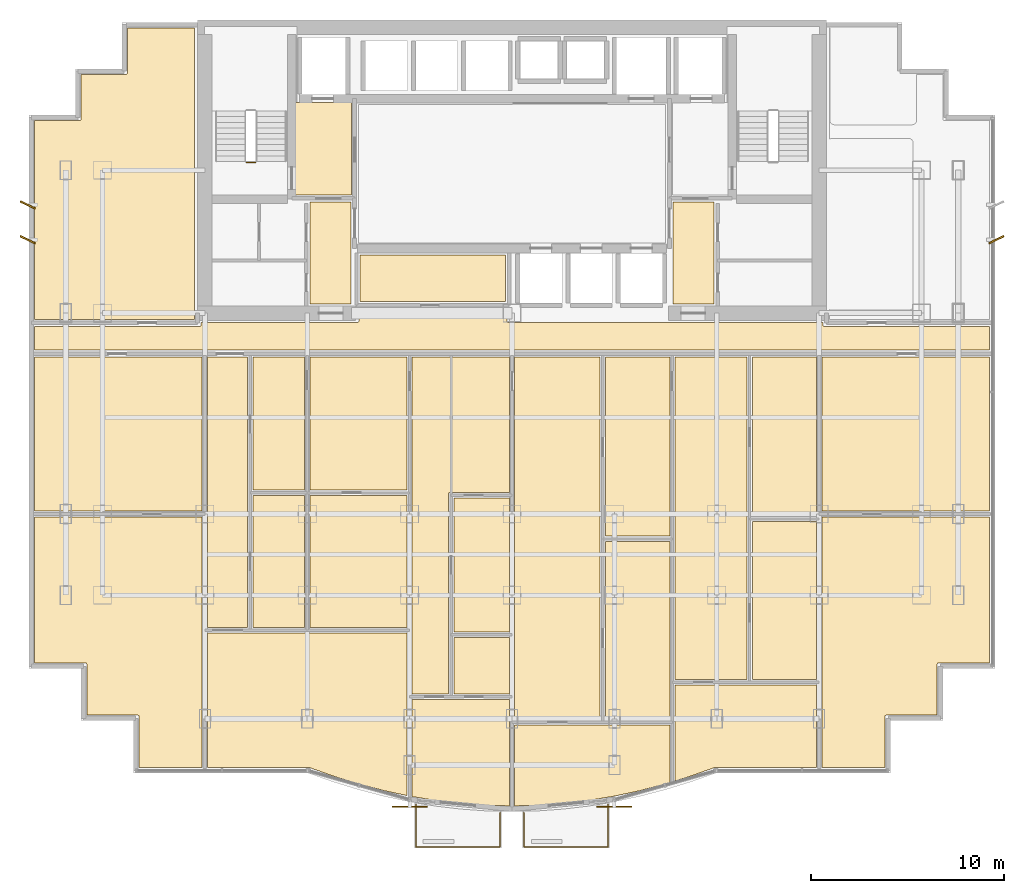
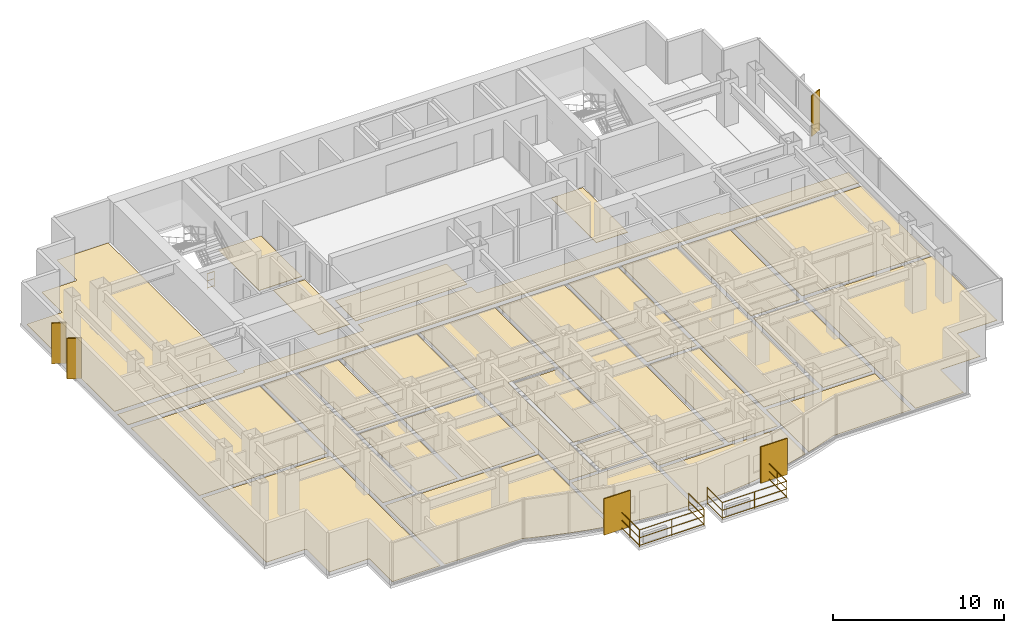
# One storey, part 10 of 11: 28 coverings, 5 shading devices, 3 railings.
"""IFC4 building model written with IfcOpenShell, lengths in metres."""

from ifc_helpers import new_model, si_unit, direction, frame, origin, origin_2d, place, context, subcontext, project, spatial, polyline, rectangle, circle, outline, extrude, source, transform, mapped, material, layer, layer_set, type_object, element, save


model = new_model("IFC4")

# Units and contexts
model_context = context("Model", 3, precision=1e-05, world=origin(), true_north=direction((0.0, 1.0)))
body_context = subcontext(model_context, "Body", "Model", "MODEL_VIEW")
ifc_project = project(units=[si_unit("LENGTHUNIT", "METRE"), si_unit("AREAUNIT", "SQUARE_METRE"), si_unit("VOLUMEUNIT", "CUBIC_METRE"), si_unit("PLANEANGLEUNIT", "RADIAN"), si_unit("MASSUNIT", "GRAM", prefix="KILO")], contexts=[model_context])

# Site, building, storey
site_placement = place(None, origin())
site = spatial("IfcSite", under=ifc_project, at=site_placement, CompositionType="ELEMENT")
building_placement = place(site_placement, origin())
building = spatial("IfcBuilding", under=site, at=building_placement, Name="Qianlan Lanfeng Residences", CompositionType="ELEMENT")
storey_placement = place(building_placement, frame((0.0, 0.0, 124.60009765625)))
storey = spatial("IfcBuildingStorey", under=building, at=storey_placement, Name="L34", CompositionType="ELEMENT", Elevation=124.60009765625)

# Coverings
ifc_material_1 = material(Name="Honed Taitung Granite Stone Flooring", Category="masonry")
ifc_layer_1 = layer(ifc_material_1, 0.030029296875)
ifc_layer_set_1 = layer_set([ifc_layer_1], Name="Honed Taitung Granite Stone Flooring")
covering_type_1 = type_object("IfcCoveringType", Name="FLR-STN-30", PredefinedType="FLOORING", material=ifc_layer_set_1)
covering_1_placement = place(storey_placement, origin())
element("IfcCovering", 1, at=covering_1_placement, inside=storey, type_object=covering_type_1, Name="L34 Firefighting Lift Lobby Floor Finish", PredefinedType="FLOORING", context=body_context, shape_type="SweptSolid", body=[
    extrude(outline(polyline([(15.2900390625, 31.320068359375), (18.179931640625, 31.320068359375), (18.179931640625, 36.110107421875), (15.2900390625, 36.110107421875), (15.2900390625, 31.320068359375)])), origin(), (0.0, 0.0, 1.0), 0.02978515625),
])
covering_2_placement = place(storey_placement, origin())
element("IfcCovering", 2, at=covering_2_placement, inside=storey, type_object=covering_type_1, Name="L34 Residential Corridor Floor Finish", PredefinedType="FLOORING", context=body_context, shape_type="SweptSolid", body=[
    extrude(outline(polyline([(1.7900390625, 23.280029296875), (51.2099609375, 23.280029296875), (51.2099609375, 24.52001953125), (42.6650390625, 24.52001953125), (42.657958984375, 24.52001953125), (42.65087890625, 24.52099609375), (42.64501953125, 24.52294921875), (42.637939453125, 24.52490234375), (42.632080078125, 24.528076171875), (42.6259765625, 24.531982421875), (42.62109375, 24.535888671875), (42.615966796875, 24.541015625), (42.611083984375, 24.5458984375), (42.60693359375, 24.551025390625), (42.60302734375, 24.556884765625), (42.60009765625, 24.56298828125), (42.597900390625, 24.570068359375), (42.595947265625, 24.575927734375), (42.594970703125, 24.5830078125), (42.594970703125, 24.590087890625), (42.594970703125, 24.72509765625), (26.300048828125, 24.72509765625), (26.29296875, 24.72509765625), (26.285888671875, 24.72607421875), (26.280029296875, 24.72802734375), (26.27294921875, 24.72998046875), (26.26708984375, 24.73291015625), (26.260986328125, 24.737060546875), (26.256103515625, 24.740966796875), (26.2509765625, 24.74609375), (26.24609375, 24.7509765625), (26.241943359375, 24.756103515625), (26.238037109375, 24.761962890625), (26.235107421875, 24.76806640625), (26.23291015625, 24.77490234375), (26.23095703125, 24.781005859375), (26.22998046875, 24.7880859375), (26.22998046875, 24.794921875), (26.22998046875, 25.429931640625), (18.570068359375, 25.429931640625), (18.570068359375, 24.794921875), (18.570068359375, 24.7880859375), (18.569091796875, 24.781005859375), (18.56689453125, 24.77490234375), (18.56494140625, 24.76806640625), (18.56201171875, 24.761962890625), (18.55810546875, 24.756103515625), (18.553955078125, 24.7509765625), (18.549072265625, 24.74609375), (18.5439453125, 24.740966796875), (18.5390625, 24.737060546875), (18.532958984375, 24.73291015625), (18.527099609375, 24.72998046875), (18.52001953125, 24.72802734375), (18.513916015625, 24.72607421875), (18.507080078125, 24.72509765625), (18.5, 24.72509765625), (10.405029296875, 24.72509765625), (10.405029296875, 24.590087890625), (10.405029296875, 24.5830078125), (10.404052734375, 24.575927734375), (10.402099609375, 24.570068359375), (10.39990234375, 24.56298828125), (10.39697265625, 24.556884765625), (10.39306640625, 24.551025390625), (10.388916015625, 24.5458984375), (10.384033203125, 24.541015625), (10.37890625, 24.535888671875), (10.3740234375, 24.531982421875), (10.367919921875, 24.528076171875), (10.362060546875, 24.52490234375), (10.35498046875, 24.52294921875), (10.34912109375, 24.52099609375), (10.342041015625, 24.52001953125), (10.3349609375, 24.52001953125), (1.7900390625, 24.52001953125), (1.7900390625, 23.280029296875)])), origin(), (0.0, 0.0, 1.0), 0.02978515625),
])
covering_3_placement = place(storey_placement, origin())
element("IfcCovering", 3, at=covering_3_placement, inside=storey, type_object=covering_type_1, Name="L34 Lift Lobby Floor Finish", PredefinedType="FLOORING", context=body_context, shape_type="SweptSolid", body=[
    extrude(outline(polyline([(16.030029296875, 25.68505859375), (18.169921875, 25.68505859375), (18.169921875, 30.949951171875), (16.030029296875, 30.949951171875), (16.030029296875, 25.68505859375)])), origin(), (0.0, 0.0, 1.0), 0.02978515625),
])
covering_4_placement = place(storey_placement, origin())
element("IfcCovering", 4, at=covering_4_placement, inside=storey, type_object=covering_type_1, Name="L34 Lift Lobby Floor Finish", PredefinedType="FLOORING", context=body_context, shape_type="SweptSolid", body=[
    extrude(outline(polyline([(34.830078125, 25.68505859375), (36.969970703125, 25.68505859375), (36.969970703125, 30.949951171875), (34.830078125, 30.949951171875), (34.830078125, 25.68505859375)])), origin(), (0.0, 0.0, 1.0), 0.02978515625),
])
ifc_material_2 = material(Name="Slip-Resistant Porcelain Tile Flooring")
ifc_layer_2 = layer(ifc_material_2, 0.02001953125)
ifc_layer_set_2 = layer_set([ifc_layer_2], Name="Slip-Resistant Porcelain Tile Flooring")
covering_type_2 = type_object("IfcCoveringType", Name="FLR-TIL-20", PredefinedType="FLOORING", material=ifc_layer_set_2)
covering_5_placement = place(storey_placement, origin())
element("IfcCovering", 5, at=covering_5_placement, inside=storey, type_object=covering_type_2, Name="L34 Kitchen Floor Finish", PredefinedType="FLOORING", context=body_context, shape_type="SweptSolid", body=[
    extrude(outline(polyline([(13.090087890625, 8.929931640625), (15.760009765625, 8.929931640625), (15.760009765625, 15.7548828125), (13.090087890625, 15.7548828125), (13.090087890625, 8.929931640625)])), origin(), (0.0, 0.0, 1.0), 0.02001953125),
])
covering_6_placement = place(storey_placement, origin())
element("IfcCovering", 6, at=covering_6_placement, inside=storey, type_object=covering_type_2, Name="L34 Bathroom Floor Finish", PredefinedType="FLOORING", context=body_context, shape_type="SweptSolid", body=[
    extrude(outline(polyline([(13.090087890625, 16.034912109375), (15.760009765625, 16.034912109375), (15.760009765625, 22.929931640625), (13.090087890625, 22.929931640625), (13.090087890625, 16.034912109375)])), origin(), (0.0, 0.0, 1.0), 0.02001953125),
])
covering_7_placement = place(storey_placement, origin())
element("IfcCovering", 7, at=covering_7_placement, inside=storey, type_object=covering_type_2, Name="L34 En-Suite Bathroom Floor Finish", PredefinedType="FLOORING", context=body_context, shape_type="SweptSolid", body=[
    extrude(outline(polyline([(23.489990234375, 5.487060546875), (26.3701171875, 5.487060546875), (26.3701171875, 8.406982421875), (23.489990234375, 8.406982421875), (23.489990234375, 5.487060546875)])), origin(), (0.0, 0.0, 1.0), 0.02001953125),
])
ifc_material_3 = material(Name="Engineered Smoked Oak Timber Flooring", Category="wood")
ifc_layer_3 = layer(ifc_material_3, 0.02197265625)
ifc_layer_set_3 = layer_set([ifc_layer_3], Name="Engineered Smoked Oak Timber Flooring")
covering_type_3 = type_object("IfcCoveringType", Name="FLR-TIM-22", PredefinedType="FLOORING", material=ifc_layer_set_3)
covering_8_placement = place(storey_placement, origin())
element("IfcCovering", 8, at=covering_8_placement, inside=storey, type_object=covering_type_3, Name="L34 Gallery Salon Floor Finish", PredefinedType="FLOORING", context=body_context, shape_type="SweptSolid", body=[
    extrude(outline(polyline([(18.6298828125, 25.800048828125), (26.169921875, 25.800048828125), (26.169921875, 28.205078125), (18.6298828125, 28.205078125), (18.6298828125, 25.800048828125)])), origin(), (0.0, 0.0, 1.0), 0.02197265625),
])
covering_9_placement = place(storey_placement, origin())
element("IfcCovering", 9, at=covering_9_placement, inside=storey, type_object=covering_type_3, Name="L34 Living and Dining Room Floor Finish", PredefinedType="FLOORING", context=body_context, shape_type="SweptSolid", body=[
    extrude(outline(polyline([(10.72998046875, 8.64990234375), (10.72998046875, 1.68994140625), (15.9580078125, 1.68994140625), (15.966064453125, 1.68994140625), (15.97412109375, 1.68798828125), (15.98095703125, 1.68603515625), (17.3330078125, 1.2060546875), (18.64404296875, 0.803955078125), (19.9541015625, 0.462890625), (21.070068359375, 0.22607421875), (21.070068359375, 8.64990234375), (10.72998046875, 8.64990234375)])), origin(), (0.0, 0.0, 1.0), 0.02197265625),
])
covering_10_placement = place(storey_placement, origin())
element("IfcCovering", 10, at=covering_10_placement, inside=storey, type_object=covering_type_3, Name="L34 Family Sitting Room Floor Finish", PredefinedType="FLOORING", context=body_context, shape_type="SweptSolid", body=[
    extrude(outline(polyline([(10.72998046875, 8.929931640625), (12.81005859375, 8.929931640625), (12.81005859375, 22.929931640625), (10.72998046875, 22.929931640625), (10.72998046875, 8.929931640625)])), origin(), (0.0, 0.0, 1.0), 0.02197265625),
])
covering_11_placement = place(storey_placement, origin())
element("IfcCovering", 11, at=covering_11_placement, inside=storey, type_object=covering_type_3, Name="L34 Fitness Gymnasium Floor Finish", PredefinedType="FLOORING", context=body_context, shape_type="SweptSolid", body=[
    extrude(outline(polyline([(16.0400390625, 8.929931640625), (21.06005859375, 8.929931640625), (21.06005859375, 15.7548828125), (16.0400390625, 15.7548828125), (16.0400390625, 8.929931640625)])), origin(), (0.0, 0.0, 1.0), 0.02197265625),
])
covering_12_placement = place(storey_placement, origin())
element("IfcCovering", 12, at=covering_12_placement, inside=storey, type_object=covering_type_3, Name="L34 Club Reading Salon Floor Finish", PredefinedType="FLOORING", context=body_context, shape_type="SweptSolid", body=[
    extrude(outline(polyline([(16.0400390625, 16.034912109375), (21.06005859375, 16.034912109375), (21.06005859375, 22.929931640625), (16.0400390625, 22.929931640625), (16.0400390625, 16.034912109375)])), origin(), (0.0, 0.0, 1.0), 0.02197265625),
])
covering_13_placement = place(storey_placement, origin())
element("IfcCovering", 13, at=covering_13_placement, inside=storey, type_object=covering_type_3, Name="L34 Private Study Floor Finish", PredefinedType="FLOORING", context=body_context, shape_type="SweptSolid", body=[
    extrude(outline(polyline([(23.489990234375, 8.68701171875), (26.3701171875, 8.68701171875), (26.3701171875, 15.634033203125), (23.489990234375, 15.634033203125), (23.489990234375, 8.68701171875)])), origin(), (0.0, 0.0, 1.0), 0.02197265625),
])
covering_14_placement = place(storey_placement, origin())
element("IfcCovering", 14, at=covering_14_placement, inside=storey, type_object=covering_type_3, Name="L34 Villa Family Sitting Room Floor Finish", PredefinedType="FLOORING", context=body_context, shape_type="SweptSolid", body=[
    extrude(outline(polyline([(21.330078125, 5.487060546875), (23.2099609375, 5.487060546875), (23.2099609375, 15.843994140625), (23.2099609375, 15.85107421875), (23.2109375, 15.85791015625), (23.212890625, 15.864013671875), (23.215087890625, 15.87109375), (23.218017578125, 15.876953125), (23.221923828125, 15.883056640625), (23.22607421875, 15.887939453125), (23.23095703125, 15.89306640625), (23.236083984375, 15.89794921875), (23.240966796875, 15.902099609375), (23.2470703125, 15.906005859375), (23.2529296875, 15.908935546875), (23.260009765625, 15.910888671875), (23.26611328125, 15.9130859375), (23.27294921875, 15.9140625), (23.280029296875, 15.9140625), (26.3701171875, 15.9140625), (26.3701171875, 22.929931640625), (21.330078125, 22.929931640625), (21.330078125, 5.487060546875)])), origin(), (0.0, 0.0, 1.0), 0.02197265625),
])
covering_15_placement = place(storey_placement, origin())
element("IfcCovering", 15, at=covering_15_placement, inside=storey, type_object=covering_type_3, Name="L34 Master Bedroom Floor Finish", PredefinedType="FLOORING", context=body_context, shape_type="SweptSolid", body=[
    extrude(outline(polyline([(21.330078125, 5.20703125), (21.330078125, 0.174072265625), (22.572998046875, -0.031982421875), (23.882080078125, -0.18603515625), (25.19091796875, -0.279052734375), (26.3701171875, -0.306884765625), (26.3701171875, 5.20703125), (21.330078125, 5.20703125)])), origin(), (0.0, 0.0, 1.0), 0.02197265625),
])
covering_16_placement = place(storey_placement, origin())
element("IfcCovering", 16, at=covering_16_placement, inside=storey, type_object=covering_type_3, Name="L34 Guest Bedroom Floor Finish", PredefinedType="FLOORING", context=body_context, shape_type="SweptSolid", body=[
    extrude(outline(polyline([(26.6298828125, 3.889892578125), (26.6298828125, -0.306884765625), (27.80810546875, -0.279052734375), (29.117919921875, -0.18603515625), (30.426025390625, -0.031982421875), (31.736083984375, 0.18505859375), (33.044921875, 0.462890625), (34.35595703125, 0.803955078125), (34.669921875, 0.89990234375), (34.669921875, 3.889892578125), (26.6298828125, 3.889892578125)])), origin(), (0.0, 0.0, 1.0), 0.02197265625),
])
covering_17_placement = place(storey_placement, origin())
element("IfcCovering", 17, at=covering_17_placement, inside=storey, type_object=covering_type_3, Name="L34 Private Study Floor Finish", PredefinedType="FLOORING", context=body_context, shape_type="SweptSolid", body=[
    extrude(outline(polyline([(31.340087890625, 4.169921875), (34.669921875, 4.169921875), (34.669921875, 13.375), (31.340087890625, 13.375), (31.340087890625, 4.169921875)])), origin(), (0.0, 0.0, 1.0), 0.02197265625),
])
covering_18_placement = place(storey_placement, origin())
element("IfcCovering", 18, at=covering_18_placement, inside=storey, type_object=covering_type_3, Name="L34 Family Sitting Room Floor Finish", PredefinedType="FLOORING", context=body_context, shape_type="SweptSolid", body=[
    extrude(outline(polyline([(31.340087890625, 13.655029296875), (34.669921875, 13.655029296875), (34.669921875, 22.929931640625), (31.340087890625, 22.929931640625), (31.340087890625, 13.655029296875)])), origin(), (0.0, 0.0, 1.0), 0.02197265625),
])
covering_19_placement = place(storey_placement, origin())
element("IfcCovering", 19, at=covering_19_placement, inside=storey, type_object=covering_type_3, Name="L34 Home Office Floor Finish", PredefinedType="FLOORING", context=body_context, shape_type="SweptSolid", body=[
    extrude(outline(polyline([(26.6298828125, 4.169921875), (31.06005859375, 4.169921875), (31.06005859375, 22.929931640625), (26.6298828125, 22.929931640625), (26.6298828125, 4.169921875)])), origin(), (0.0, 0.0, 1.0), 0.02197265625),
])
covering_20_placement = place(storey_placement, origin())
element("IfcCovering", 20, at=covering_20_placement, inside=storey, type_object=covering_type_3, Name="L34 Guest Bedroom Floor Finish", PredefinedType="FLOORING", context=body_context, shape_type="SweptSolid", body=[
    extrude(outline(polyline([(34.929931640625, 5.9541015625), (34.929931640625, 0.97998046875), (35.6669921875, 1.2060546875), (37.01904296875, 1.68603515625), (37.02587890625, 1.68798828125), (37.033935546875, 1.68994140625), (37.0419921875, 1.68994140625), (42.27001953125, 1.68994140625), (42.27001953125, 5.9541015625), (34.929931640625, 5.9541015625)])), origin(), (0.0, 0.0, 1.0), 0.02197265625),
])
covering_21_placement = place(storey_placement, origin())
element("IfcCovering", 21, at=covering_21_placement, inside=storey, type_object=covering_type_3, Name="L34 Private Study Floor Finish", PredefinedType="FLOORING", context=body_context, shape_type="SweptSolid", body=[
    extrude(outline(polyline([(38.93994140625, 6.23388671875), (42.27001953125, 6.23388671875), (42.27001953125, 14.406982421875), (38.93994140625, 14.406982421875), (38.93994140625, 6.23388671875)])), origin(), (0.0, 0.0, 1.0), 0.02197265625),
])
covering_22_placement = place(storey_placement, origin())
element("IfcCovering", 22, at=covering_22_placement, inside=storey, type_object=covering_type_3, Name="L34 Fitness Gymnasium Floor Finish", PredefinedType="FLOORING", context=body_context, shape_type="SweptSolid", body=[
    extrude(outline(polyline([(38.93994140625, 14.68701171875), (42.27001953125, 14.68701171875), (42.27001953125, 22.929931640625), (38.93994140625, 22.929931640625), (38.93994140625, 14.68701171875)])), origin(), (0.0, 0.0, 1.0), 0.02197265625),
])
covering_23_placement = place(storey_placement, origin())
element("IfcCovering", 23, at=covering_23_placement, inside=storey, type_object=covering_type_3, Name="L34 Home Office Floor Finish", PredefinedType="FLOORING", context=body_context, shape_type="SweptSolid", body=[
    extrude(outline(polyline([(34.929931640625, 6.23388671875), (38.659912109375, 6.23388671875), (38.659912109375, 22.929931640625), (34.929931640625, 22.929931640625), (34.929931640625, 6.23388671875)])), origin(), (0.0, 0.0, 1.0), 0.02197265625),
])
covering_24_placement = place(storey_placement, origin())
element("IfcCovering", 24, at=covering_24_placement, inside=storey, type_object=covering_type_3, Name="L34 Sunroom Floor Finish", PredefinedType="FLOORING", context=body_context, shape_type="SweptSolid", body=[
    extrude(outline(polyline([(10.43994140625, 14.64990234375), (1.7900390625, 14.64990234375), (1.7900390625, 7.090087890625), (4.419921875, 7.090087890625), (4.427001953125, 7.090087890625), (4.43408203125, 7.089111328125), (4.43994140625, 7.0869140625), (4.447021484375, 7.0849609375), (4.452880859375, 7.08203125), (4.458984375, 7.077880859375), (4.464111328125, 7.073974609375), (4.468994140625, 7.069091796875), (4.47412109375, 7.06396484375), (4.47802734375, 7.05908203125), (4.48193359375, 7.052978515625), (4.485107421875, 7.047119140625), (4.487060546875, 7.0400390625), (4.489013671875, 7.033935546875), (4.489990234375, 7.027099609375), (4.489990234375, 7.02001953125), (4.489990234375, 4.389892578125), (7.1201171875, 4.389892578125), (7.126953125, 4.389892578125), (7.134033203125, 4.388916015625), (7.139892578125, 4.386962890625), (7.14697265625, 4.385009765625), (7.153076171875, 4.382080078125), (7.158935546875, 4.3779296875), (7.1640625, 4.3740234375), (7.1689453125, 4.368896484375), (7.174072265625, 4.364013671875), (7.177978515625, 4.35888671875), (7.181884765625, 4.35302734375), (7.18505859375, 4.346923828125), (7.18701171875, 4.340087890625), (7.18896484375, 4.333984375), (7.18994140625, 4.326904296875), (7.18994140625, 4.320068359375), (7.18994140625, 1.68994140625), (10.43994140625, 1.68994140625), (10.43994140625, 14.64990234375)])), origin(), (0.0, 0.0, 1.0), 0.02197265625),
])
covering_25_placement = place(storey_placement, origin())
element("IfcCovering", 25, at=covering_25_placement, inside=storey, type_object=covering_type_3, Name="L34 Family Sitting Room Floor Finish", PredefinedType="FLOORING", context=body_context, shape_type="SweptSolid", body=[
    extrude(outline(polyline([(10.43994140625, 22.929931640625), (1.7900390625, 22.929931640625), (1.7900390625, 14.949951171875), (10.43994140625, 14.949951171875), (10.43994140625, 22.929931640625)])), origin(), (0.0, 0.0, 1.0), 0.02197265625),
])
covering_26_placement = place(storey_placement, origin())
element("IfcCovering", 26, at=covering_26_placement, inside=storey, type_object=covering_type_3, Name="L34 Sunroom Floor Finish", PredefinedType="FLOORING", context=body_context, shape_type="SweptSolid", body=[
    extrude(outline(polyline([(51.2099609375, 14.64990234375), (42.56005859375, 14.64990234375), (42.56005859375, 1.68994140625), (45.81005859375, 1.68994140625), (45.81005859375, 4.320068359375), (45.81005859375, 4.326904296875), (45.81103515625, 4.333984375), (45.81298828125, 4.340087890625), (45.81494140625, 4.346923828125), (45.818115234375, 4.35302734375), (45.822021484375, 4.35888671875), (45.825927734375, 4.364013671875), (45.8310546875, 4.368896484375), (45.8359375, 4.3740234375), (45.841064453125, 4.3779296875), (45.846923828125, 4.382080078125), (45.85302734375, 4.385009765625), (45.860107421875, 4.386962890625), (45.865966796875, 4.388916015625), (45.873046875, 4.389892578125), (45.8798828125, 4.389892578125), (48.510009765625, 4.389892578125), (48.510009765625, 7.02001953125), (48.510009765625, 7.027099609375), (48.510986328125, 7.033935546875), (48.512939453125, 7.0400390625), (48.514892578125, 7.047119140625), (48.51806640625, 7.052978515625), (48.52197265625, 7.05908203125), (48.52587890625, 7.06396484375), (48.531005859375, 7.069091796875), (48.535888671875, 7.073974609375), (48.541015625, 7.077880859375), (48.547119140625, 7.08203125), (48.552978515625, 7.0849609375), (48.56005859375, 7.0869140625), (48.56591796875, 7.089111328125), (48.572998046875, 7.090087890625), (48.580078125, 7.090087890625), (51.2099609375, 7.090087890625), (51.2099609375, 14.64990234375)])), origin(), (0.0, 0.0, 1.0), 0.02197265625),
])
covering_27_placement = place(storey_placement, origin())
element("IfcCovering", 27, at=covering_27_placement, inside=storey, type_object=covering_type_3, Name="L34 Private Study Floor Finish", PredefinedType="FLOORING", context=body_context, shape_type="SweptSolid", body=[
    extrude(outline(polyline([(51.2099609375, 22.929931640625), (42.56005859375, 22.929931640625), (42.56005859375, 14.949951171875), (51.2099609375, 14.949951171875), (51.2099609375, 22.929931640625)])), origin(), (0.0, 0.0, 1.0), 0.02197265625),
])
covering_28_placement = place(storey_placement, origin())
element("IfcCovering", 28, at=covering_28_placement, inside=storey, type_object=covering_type_3, Name="L34 Yoga Studio Floor Finish", PredefinedType="FLOORING", context=body_context, shape_type="SweptSolid", body=[
    extrude(outline(polyline([(10.074951171875, 24.8701171875), (10.074951171875, 39.9599609375), (6.590087890625, 39.9599609375), (6.590087890625, 37.6298828125), (6.590087890625, 37.623046875), (6.589111328125, 37.615966796875), (6.5869140625, 37.610107421875), (6.5849609375, 37.60302734375), (6.58203125, 37.596923828125), (6.577880859375, 37.591064453125), (6.573974609375, 37.5859375), (6.569091796875, 37.5810546875), (6.56396484375, 37.575927734375), (6.55908203125, 37.572021484375), (6.552978515625, 37.568115234375), (6.547119140625, 37.56494140625), (6.5400390625, 37.56298828125), (6.533935546875, 37.56103515625), (6.527099609375, 37.56005859375), (6.52001953125, 37.56005859375), (4.18994140625, 37.56005859375), (4.18994140625, 35.22998046875), (4.18994140625, 35.222900390625), (4.18896484375, 35.216064453125), (4.18701171875, 35.2099609375), (4.18505859375, 35.202880859375), (4.181884765625, 35.197021484375), (4.177978515625, 35.19091796875), (4.174072265625, 35.18603515625), (4.1689453125, 35.180908203125), (4.1640625, 35.176025390625), (4.158935546875, 35.172119140625), (4.153076171875, 35.16796875), (4.14697265625, 35.1650390625), (4.139892578125, 35.1630859375), (4.134033203125, 35.160888671875), (4.126953125, 35.159912109375), (4.1201171875, 35.159912109375), (1.7900390625, 35.159912109375), (1.7900390625, 24.8701171875), (10.074951171875, 24.8701171875)])), origin(), (0.0, 0.0, 1.0), 0.02197265625),
])

# Railings
ifc_material_4 = material(Name="Anodised Bronze Aluminium and Laminated Glass Guard Balustrade", Category="aluminium")
railing_type_1 = type_object("IfcRailingType", Name="GR-EXT-1220", PredefinedType="BALUSTRADE", material=ifc_material_4)
railing_1_placement = place(storey_placement, frame((25.8798828125, -0.655029296875, 0.0)))
element("IfcRailing", 29, at=railing_1_placement, inside=storey, type_object=railing_type_1, Name="L34 Terrace Safety Guard GR-L34-SB-W", PredefinedType="BALUSTRADE", context=body_context, shape_type="SweptSolid", body=[
    extrude(circle(Radius=0.02490234375, at=origin_2d()), frame((0.0, 0.0, 0.0849609375), z_axis=(0.0, -1.0, 0.0), x_axis=(1.0, 0.0, 0.0)), (0.0, 0.0, 1.0), 1.77490234375),
    extrude(circle(Radius=0.02490234375, at=origin_2d()), frame((0.0, 0.0, 0.63427734375), z_axis=(0.0, -1.0, 0.0), x_axis=(1.0, 0.0, 0.0)), (0.0, 0.0, 1.0), 1.77490234375),
    extrude(circle(Radius=0.02490234375, at=origin_2d()), frame((0.0, 0.0, 1.19482421875), z_axis=(0.0, -1.0, 0.0), x_axis=(1.0, 0.0, 0.0)), (0.0, 0.0, 1.0), 1.77490234375),
    extrude(circle(Radius=0.02490234375, at=origin_2d()), frame((0.0, -1.77490234375, 0.0849609375), z_axis=(-1.0, 0.0, 0.0), x_axis=(0.0, -1.0, 0.0)), (0.0, 0.0, 1.0), 4.35986328125),
    extrude(circle(Radius=0.02490234375, at=origin_2d()), frame((0.0, -1.77490234375, 0.63427734375), z_axis=(-1.0, 0.0, 0.0), x_axis=(0.0, -1.0, 0.0)), (0.0, 0.0, 1.0), 4.35986328125),
    extrude(circle(Radius=0.02490234375, at=origin_2d()), frame((0.0, -1.77490234375, 1.19482421875), z_axis=(-1.0, 0.0, 0.0), x_axis=(0.0, -1.0, 0.0)), (0.0, 0.0, 1.0), 4.35986328125),
    extrude(circle(Radius=0.02490234375, at=origin_2d()), frame((-4.35986328125, -1.77490234375, 0.0849609375), z_axis=(0.0, 1.0, 0.0), x_axis=(-1.0, 0.0, 0.0)), (0.0, 0.0, 1.0), 2.20703125),
    extrude(circle(Radius=0.02490234375, at=origin_2d()), frame((-4.35986328125, -1.77490234375, 0.63427734375), z_axis=(0.0, 1.0, 0.0), x_axis=(-1.0, 0.0, 0.0)), (0.0, 0.0, 1.0), 2.20703125),
    extrude(circle(Radius=0.02490234375, at=origin_2d()), frame((-4.35986328125, -1.77490234375, 1.19482421875), z_axis=(0.0, 1.0, 0.0), x_axis=(-1.0, 0.0, 0.0)), (0.0, 0.0, 1.0), 2.20703125),
    extrude(circle(Radius=0.02099609375, at=origin_2d()), origin(), (0.0, 0.0, 1.0), 1.169921875),
    extrude(circle(Radius=0.02099609375, at=origin_2d()), frame((0.0, -1.77490234375, 0.0)), (0.0, 0.0, 1.0), 1.169921875),
    extrude(circle(Radius=0.02099609375, at=origin_2d()), frame((-2.179931640625, -1.77490234375, 0.0)), (0.0, 0.0, 1.0), 1.169921875),
    extrude(circle(Radius=0.02099609375, at=origin_2d()), frame((-4.35986328125, -1.77490234375, 0.0)), (0.0, 0.0, 1.0), 1.169921875),
    extrude(circle(Radius=0.02099609375, at=origin_2d()), frame((-4.35986328125, -0.67138671875, 0.0)), (0.0, 0.0, 1.0), 1.169921875),
    extrude(circle(Radius=0.02099609375, at=origin_2d()), frame((-4.35986328125, 0.43212890625, 0.0)), (0.0, 0.0, 1.0), 1.169921875),
])
railing_2_placement = place(storey_placement, frame((31.47998046875, -0.222900390625, 0.0)))
element("IfcRailing", 30, at=railing_2_placement, inside=storey, type_object=railing_type_1, Name="L34 Terrace Safety Guard GR-L34-SB-E", PredefinedType="BALUSTRADE", context=body_context, shape_type="SweptSolid", body=[
    extrude(circle(Radius=0.02490234375, at=origin_2d()), frame((0.0, 0.0, 0.0849609375), z_axis=(0.0, -1.0, 0.0), x_axis=(1.0, 0.0, 0.0)), (0.0, 0.0, 1.0), 2.20703125),
    extrude(circle(Radius=0.02490234375, at=origin_2d()), frame((0.0, 0.0, 0.63427734375), z_axis=(0.0, -1.0, 0.0), x_axis=(1.0, 0.0, 0.0)), (0.0, 0.0, 1.0), 2.20703125),
    extrude(circle(Radius=0.02490234375, at=origin_2d()), frame((0.0, 0.0, 1.19482421875), z_axis=(0.0, -1.0, 0.0), x_axis=(1.0, 0.0, 0.0)), (0.0, 0.0, 1.0), 2.20703125),
    extrude(circle(Radius=0.02490234375, at=origin_2d()), frame((0.0, -2.20703125, 0.0849609375), z_axis=(-1.0, 0.0, 0.0), x_axis=(0.0, -1.0, 0.0)), (0.0, 0.0, 1.0), 4.35986328125),
    extrude(circle(Radius=0.02490234375, at=origin_2d()), frame((0.0, -2.20703125, 0.63427734375), z_axis=(-1.0, 0.0, 0.0), x_axis=(0.0, -1.0, 0.0)), (0.0, 0.0, 1.0), 4.35986328125),
    extrude(circle(Radius=0.02490234375, at=origin_2d()), frame((0.0, -2.20703125, 1.19482421875), z_axis=(-1.0, 0.0, 0.0), x_axis=(0.0, -1.0, 0.0)), (0.0, 0.0, 1.0), 4.35986328125),
    extrude(circle(Radius=0.02490234375, at=origin_2d()), frame((-4.35986328125, -2.20703125, 0.0849609375), z_axis=(0.0, 1.0, 0.0), x_axis=(-1.0, 0.0, 0.0)), (0.0, 0.0, 1.0), 1.77490234375),
    extrude(circle(Radius=0.02490234375, at=origin_2d()), frame((-4.35986328125, -2.20703125, 0.63427734375), z_axis=(0.0, 1.0, 0.0), x_axis=(-1.0, 0.0, 0.0)), (0.0, 0.0, 1.0), 1.77490234375),
    extrude(circle(Radius=0.02490234375, at=origin_2d()), frame((-4.35986328125, -2.20703125, 1.19482421875), z_axis=(0.0, 1.0, 0.0), x_axis=(-1.0, 0.0, 0.0)), (0.0, 0.0, 1.0), 1.77490234375),
    extrude(circle(Radius=0.02099609375, at=origin_2d()), origin(), (0.0, 0.0, 1.0), 1.169921875),
    extrude(circle(Radius=0.02099609375, at=origin_2d()), frame((0.0, -1.103515625, 0.0)), (0.0, 0.0, 1.0), 1.169921875),
    extrude(circle(Radius=0.02099609375, at=origin_2d()), frame((0.0, -2.20703125, 0.0)), (0.0, 0.0, 1.0), 1.169921875),
    extrude(circle(Radius=0.02099609375, at=origin_2d()), frame((-2.179931640625, -2.20703125, 0.0)), (0.0, 0.0, 1.0), 1.169921875),
    extrude(circle(Radius=0.02099609375, at=origin_2d()), frame((-4.35986328125, -2.20703125, 0.0)), (0.0, 0.0, 1.0), 1.169921875),
    extrude(circle(Radius=0.02099609375, at=origin_2d()), frame((-4.35986328125, -0.43212890625, 0.0)), (0.0, 0.0, 1.0), 1.169921875),
])
ifc_material_5 = material(Name="Painted Galvanised Steel Guardrail", Category="steel")
railing_type_2 = type_object("IfcRailingType", Name="GR-ST-1120", PredefinedType="GUARDRAIL", material=ifc_material_5)
railing_3_placement = place(storey_placement, frame((13.219970703125, 33.0, 0.0)))
element("IfcRailing", 31, at=railing_3_placement, inside=storey, type_object=railing_type_2, Name="L34 ST-1 stair guard 4", PredefinedType="GUARDRAIL", context=body_context, shape_type="SweptSolid", body=[
    extrude(circle(Radius=0.02392578125, at=origin_2d()), frame((0.0, 0.0, 0.083984375), z_axis=(-1.0, 0.0, 0.0), x_axis=(0.0, -1.0, 0.0)), (0.0, 0.0, 1.0), 0.47998046875),
    extrude(circle(Radius=0.02392578125, at=origin_2d()), frame((0.0, 0.0, 0.58251953125), z_axis=(-1.0, 0.0, 0.0), x_axis=(0.0, -1.0, 0.0)), (0.0, 0.0, 1.0), 0.47998046875),
    extrude(circle(Radius=0.02392578125, at=origin_2d()), frame((0.0, 0.0, 1.09619140625), z_axis=(-1.0, 0.0, 0.0), x_axis=(0.0, -1.0, 0.0)), (0.0, 0.0, 1.0), 0.47998046875),
    extrude(circle(Radius=0.02099609375, at=origin_2d()), origin(), (0.0, 0.0, 1.0), 1.072021484375),
    extrude(circle(Radius=0.02099609375, at=origin_2d()), frame((-0.47998046875, 0.0, 0.0)), (0.0, 0.0, 1.0), 1.072021484375),
])

# Shading devices
ifc_material_6 = material(Name="Perforated Bronze Aluminium Solar Screen", Category="aluminium")
shading_device_type_1 = type_object("IfcShadingDeviceType", Name="SCR-BRZ-1800", PredefinedType="JALOUSIE", material=ifc_material_6)
shared_shape_1 = source(origin(), body_context, "Body", "SweptSolid", [
    extrude(rectangle(XDim=1.800048828125, YDim=0.06005859375, at=origin_2d()), origin(), (0.0, 0.0, 1.0), 2.60009765625),
])
for number, where, z_axis, x_axis, name in (
    (32, (21.199951171875, -0.360107421875, -0.000244140625), (0.0, 0.0, 1.0), (1.0, 0.0, 0.0), "L34 Perforated Bronze Solar Screen 1"),
    (33, (31.800048828125, -0.360107421875, -0.000244140625), (0.0, 0.0, 1.0), (1.0, 0.0, 0.0), "L34 Perforated Bronze Solar Screen 2"),
):
    element("IfcShadingDevice", number, at=place(storey_placement, frame(where, z_axis=z_axis, x_axis=x_axis)), inside=storey, type_object=shading_device_type_1, Name=name, PredefinedType="JALOUSIE", context=body_context, shape_type="MappedRepresentation", body=[
        mapped(shared_shape_1, transform((0.0, 0.0, 0.0), scale=1.0)),
    ])
ifc_material_7 = material(Name="Anodised Bronze Aluminium Solar Fin", Category="aluminium")
shading_device_type_2 = type_object("IfcShadingDeviceType", Name="FIN-BRZ-850", PredefinedType="SHUTTER", material=ifc_material_7)
shared_shape_2 = source(origin(), body_context, "Body", "SweptSolid", [
    extrude(rectangle(XDim=0.85009765625, YDim=0.080078125, at=origin_2d()), origin(), (0.0, 0.0, 1.0), 2.89990234375),
])
for number, where, z_axis, x_axis, name in (
    (34, (1.429931640625, 29.0, 0.0), (0.0, 0.0, 1.0), (0.898794046299, -0.438371146789, 0.0), "L34 Raked Bronze Solar Fin W1"),
    (35, (1.429931640625, 30.800048828125, 0.0), (0.0, 0.0, 1.0), (0.898794046299, -0.438371146789, 0.0), "L34 Raked Bronze Solar Fin W2"),
    (36, (51.570068359375, 29.0, 0.0), (0.0, 0.0, 1.0), (0.898794046299, 0.438371146789, 0.0), "L34 Raked Bronze Solar Fin E1"),
):
    element("IfcShadingDevice", number, at=place(storey_placement, frame(where, z_axis=z_axis, x_axis=x_axis)), inside=storey, type_object=shading_device_type_2, Name=name, PredefinedType="SHUTTER", context=body_context, shape_type="MappedRepresentation", body=[
        mapped(shared_shape_2, transform((0.0, 0.0, 0.0), scale=1.0)),
    ])

save(model, "model.ifc")
